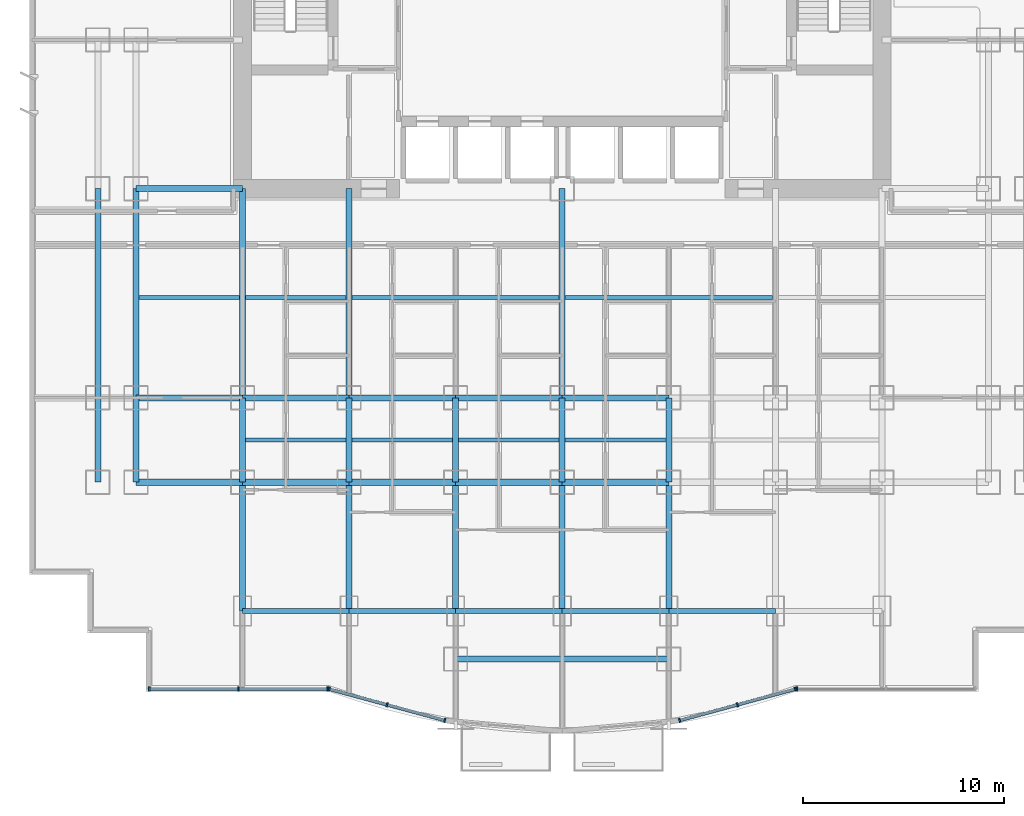
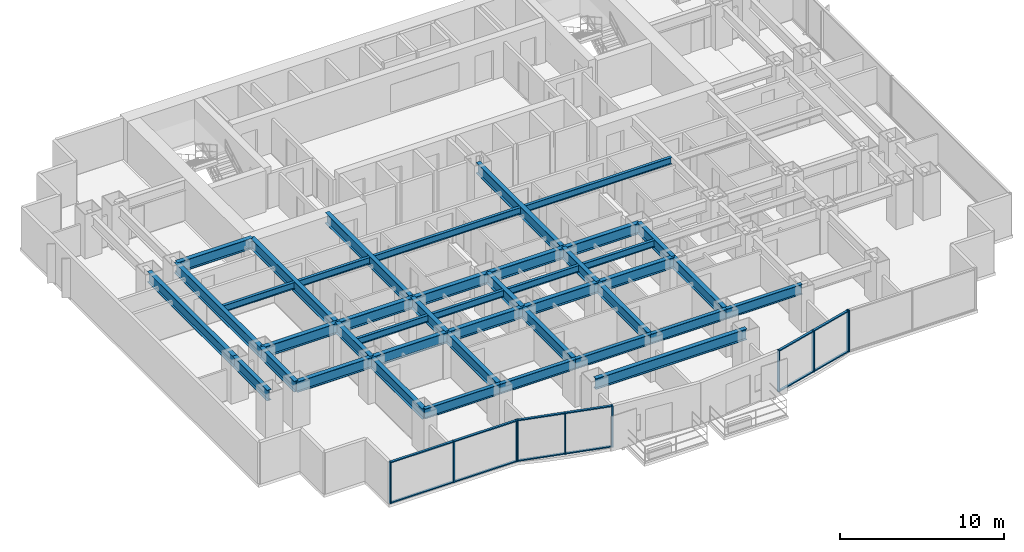
# One storey, part 2 of 12: 42 beams, 22 members, 4 elements without a shape of their own.
"""IFC4 building model written with IfcOpenShell, lengths in metres."""

from ifc_helpers import new_model, si_unit, direction, frame, origin, origin_2d, place, context, subcontext, project, spatial, rectangle, i_section, extrude, source, transform, mapped, material, layer, layer_set, material_profile, profile_set, type_object, element, aggregate, save


model = new_model("IFC4")

# Units and contexts
model_context = context("Model", 3, precision=1e-05, world=origin(), true_north=direction((0.0, 1.0)))
body_context = subcontext(model_context, "Body", "Model", "MODEL_VIEW")
ifc_project = project(units=[si_unit("LENGTHUNIT", "METRE"), si_unit("AREAUNIT", "SQUARE_METRE"), si_unit("VOLUMEUNIT", "CUBIC_METRE"), si_unit("PLANEANGLEUNIT", "RADIAN"), si_unit("MASSUNIT", "GRAM", prefix="KILO")], contexts=[model_context])

# Site, building, storey
site_placement = place(None, origin())
site = spatial("IfcSite", under=ifc_project, at=site_placement, CompositionType="ELEMENT")
building_placement = place(site_placement, origin())
building = spatial("IfcBuilding", under=site, at=building_placement, Name="Qianlan Lanfeng Residences", CompositionType="ELEMENT")
storey_placement = place(building_placement, frame((0.0, 0.0, 27.5)))
storey = spatial("IfcBuildingStorey", under=building, at=storey_placement, Name="L06", CompositionType="ELEMENT", Elevation=27.5)

# Beams
ifc_material_1 = material(Name="Steel SN490B", Category="steel")
ifc_material_profile_1 = material_profile(ifc_material_1, i_section(OverallWidth=0.300048828125, OverallDepth=0.800048828125, WebThickness=0.01611328125, FlangeThickness=0.028076171875, at=origin_2d()), Name="H 800x300x16x28")
ifc_profile_set_1 = profile_set([ifc_material_profile_1], Name="Steel SN490B")
beam_type_1 = type_object("IfcBeamType", Name="G-950", PredefinedType="BEAM", material=ifc_profile_set_1)
beam_1_placement = place(storey_placement, frame((21.199951171875, 1.800048828125, 2.679931640625), z_axis=(1.0, 0.0, 0.0), x_axis=(0.0, 1.0, 0.0)))
element("IfcBeam", 1, at=beam_1_placement, inside=storey, type_object=beam_type_1, Name="Structural beam G-950", PredefinedType="BEAM", context=body_context, shape_type="SweptSolid", body=[
    extrude(i_section(OverallWidth=0.300048828125, OverallDepth=0.800048828125, WebThickness=0.01611328125, FlangeThickness=0.028076171875, at=origin_2d()), origin(), (0.0, 0.0, 1.0), 10.60009765625),
])
beam_2_placement = place(storey_placement, frame((5.300048828125, 10.60009765625, 2.679931640625), z_axis=(1.0, 0.0, 0.0), x_axis=(0.0, 1.0, 0.0)))
element("IfcBeam", 2, at=beam_2_placement, inside=storey, type_object=beam_type_1, Name="Structural beam G-950", PredefinedType="BEAM", context=body_context, shape_type="SweptSolid", body=[
    extrude(i_section(OverallWidth=0.300048828125, OverallDepth=0.800048828125, WebThickness=0.01611328125, FlangeThickness=0.028076171875, at=origin_2d()), origin(), (0.0, 0.0, 1.0), 5.300048828125),
])
beam_3_placement = place(storey_placement, frame((10.60009765625, 10.60009765625, 2.679931640625), z_axis=(1.0, 0.0, 0.0), x_axis=(0.0, 1.0, 0.0)))
element("IfcBeam", 3, at=beam_3_placement, inside=storey, type_object=beam_type_1, Name="Structural beam G-950", PredefinedType="BEAM", context=body_context, shape_type="SweptSolid", body=[
    extrude(i_section(OverallWidth=0.300048828125, OverallDepth=0.800048828125, WebThickness=0.01611328125, FlangeThickness=0.028076171875, at=origin_2d()), origin(), (0.0, 0.0, 1.0), 5.2998046875),
])
for number, where, z_axis, x_axis, name in (
    (4, (15.89990234375, 10.60009765625, 2.679931640625), (1.0, 0.0, 0.0), (0.0, 1.0, 0.0), "Structural beam G-950"),
    (5, (21.199951171875, 10.60009765625, 2.679931640625), (1.0, 0.0, 0.0), (0.0, 1.0, 0.0), "Structural beam G-950"),
    (6, (26.5, 10.60009765625, 2.679931640625), (1.0, 0.0, 0.0), (0.0, 1.0, 0.0), "Structural beam G-950"),
    (7, (5.300048828125, 14.800048828125, 2.679931640625), (1.0, 0.0, 0.0), (0.0, 1.0, 0.0), "Structural beam G-950"),
):
    element("IfcBeam", number, at=place(storey_placement, frame(where, z_axis=z_axis, x_axis=x_axis)), inside=storey, type_object=beam_type_1, Name=name, PredefinedType="BEAM", context=body_context, shape_type="SweptSolid", body=[
        extrude(i_section(OverallWidth=0.300048828125, OverallDepth=0.800048828125, WebThickness=0.01611328125, FlangeThickness=0.028076171875, at=origin_2d()), origin(), (0.0, 0.0, 1.0), 5.300048828125),
    ])
beam_4_placement = place(storey_placement, frame((10.60009765625, 14.800048828125, 2.679931640625), z_axis=(1.0, 0.0, 0.0), x_axis=(0.0, 1.0, 0.0)))
element("IfcBeam", 8, at=beam_4_placement, inside=storey, type_object=beam_type_1, Name="Structural beam G-950", PredefinedType="BEAM", context=body_context, shape_type="SweptSolid", body=[
    extrude(i_section(OverallWidth=0.300048828125, OverallDepth=0.800048828125, WebThickness=0.01611328125, FlangeThickness=0.028076171875, at=origin_2d()), origin(), (0.0, 0.0, 1.0), 5.2998046875),
])
for number, where, z_axis, x_axis, name in (
    (9, (15.89990234375, 14.800048828125, 2.679931640625), (1.0, 0.0, 0.0), (0.0, 1.0, 0.0), "Structural beam G-950"),
    (10, (21.199951171875, 14.800048828125, 2.679931640625), (1.0, 0.0, 0.0), (0.0, 1.0, 0.0), "Structural beam G-950"),
    (11, (26.5, 14.800048828125, 2.679931640625), (1.0, 0.0, 0.0), (0.0, 1.0, 0.0), "Structural beam G-950"),
    (12, (5.300048828125, 25.199951171875, 2.679931640625), (1.0, 0.0, 0.0), (0.0, 1.0, 0.0), "Structural beam G-950"),
):
    element("IfcBeam", number, at=place(storey_placement, frame(where, z_axis=z_axis, x_axis=x_axis)), inside=storey, type_object=beam_type_1, Name=name, PredefinedType="BEAM", context=body_context, shape_type="SweptSolid", body=[
        extrude(i_section(OverallWidth=0.300048828125, OverallDepth=0.800048828125, WebThickness=0.01611328125, FlangeThickness=0.028076171875, at=origin_2d()), origin(), (0.0, 0.0, 1.0), 5.300048828125),
    ])
beam_5_placement = place(storey_placement, frame((3.39990234375, 10.60009765625, 2.679931640625), z_axis=(0.0, 1.0, 0.0), x_axis=(-1.0, 0.0, 0.0)))
element("IfcBeam", 13, at=beam_5_placement, inside=storey, type_object=beam_type_1, Name="Structural beam G-950", PredefinedType="BEAM", context=body_context, shape_type="SweptSolid", body=[
    extrude(i_section(OverallWidth=0.300048828125, OverallDepth=0.800048828125, WebThickness=0.01611328125, FlangeThickness=0.028076171875, at=origin_2d()), origin(), (0.0, 0.0, 1.0), 4.199951171875),
])
beam_6_placement = place(storey_placement, frame((3.39990234375, 14.800048828125, 2.679931640625), z_axis=(0.0, 1.0, 0.0), x_axis=(-1.0, 0.0, 0.0)))
element("IfcBeam", 14, at=beam_6_placement, inside=storey, type_object=beam_type_1, Name="Structural beam G-950", PredefinedType="BEAM", context=body_context, shape_type="SweptSolid", body=[
    extrude(i_section(OverallWidth=0.300048828125, OverallDepth=0.800048828125, WebThickness=0.01611328125, FlangeThickness=0.028076171875, at=origin_2d()), origin(), (0.0, 0.0, 1.0), 10.39990234375),
])
beam_7_placement = place(storey_placement, frame((5.300048828125, 10.60009765625, 2.679931640625), z_axis=(0.0, 1.0, 0.0), x_axis=(-1.0, 0.0, 0.0)))
element("IfcBeam", 15, at=beam_7_placement, inside=storey, type_object=beam_type_1, Name="Structural beam G-950", PredefinedType="BEAM", context=body_context, shape_type="SweptSolid", body=[
    extrude(i_section(OverallWidth=0.300048828125, OverallDepth=0.800048828125, WebThickness=0.01611328125, FlangeThickness=0.028076171875, at=origin_2d()), origin(), (0.0, 0.0, 1.0), 4.199951171875),
])
beam_8_placement = place(storey_placement, frame((5.300048828125, 14.800048828125, 2.679931640625), z_axis=(0.0, 1.0, 0.0), x_axis=(-1.0, 0.0, 0.0)))
element("IfcBeam", 16, at=beam_8_placement, inside=storey, type_object=beam_type_1, Name="Structural beam G-950", PredefinedType="BEAM", context=body_context, shape_type="SweptSolid", body=[
    extrude(i_section(OverallWidth=0.300048828125, OverallDepth=0.800048828125, WebThickness=0.01611328125, FlangeThickness=0.028076171875, at=origin_2d()), origin(), (0.0, 0.0, 1.0), 10.39990234375),
])
beam_9_placement = place(storey_placement, frame((10.60009765625, 4.199951171875, 2.679931640625), z_axis=(0.0, 1.0, 0.0), x_axis=(-1.0, 0.0, 0.0)))
element("IfcBeam", 17, at=beam_9_placement, inside=storey, type_object=beam_type_1, Name="Structural beam G-950", PredefinedType="BEAM", context=body_context, shape_type="SweptSolid", body=[
    extrude(i_section(OverallWidth=0.300048828125, OverallDepth=0.800048828125, WebThickness=0.01611328125, FlangeThickness=0.028076171875, at=origin_2d()), origin(), (0.0, 0.0, 1.0), 6.400146484375),
])
beam_10_placement = place(storey_placement, frame((10.60009765625, 10.60009765625, 2.679931640625), z_axis=(0.0, 1.0, 0.0), x_axis=(-1.0, 0.0, 0.0)))
element("IfcBeam", 18, at=beam_10_placement, inside=storey, type_object=beam_type_1, Name="Structural beam G-950", PredefinedType="BEAM", context=body_context, shape_type="SweptSolid", body=[
    extrude(i_section(OverallWidth=0.300048828125, OverallDepth=0.800048828125, WebThickness=0.01611328125, FlangeThickness=0.028076171875, at=origin_2d()), origin(), (0.0, 0.0, 1.0), 4.199951171875),
])
beam_11_placement = place(storey_placement, frame((10.60009765625, 14.800048828125, 2.679931640625), z_axis=(0.0, 1.0, 0.0), x_axis=(-1.0, 0.0, 0.0)))
element("IfcBeam", 19, at=beam_11_placement, inside=storey, type_object=beam_type_1, Name="Structural beam G-950", PredefinedType="BEAM", context=body_context, shape_type="SweptSolid", body=[
    extrude(i_section(OverallWidth=0.300048828125, OverallDepth=0.800048828125, WebThickness=0.01611328125, FlangeThickness=0.028076171875, at=origin_2d()), origin(), (0.0, 0.0, 1.0), 10.39990234375),
])
beam_12_placement = place(storey_placement, frame((15.89990234375, 4.199951171875, 2.679931640625), z_axis=(0.0, 1.0, 0.0), x_axis=(-1.0, 0.0, 0.0)))
element("IfcBeam", 20, at=beam_12_placement, inside=storey, type_object=beam_type_1, Name="Structural beam G-950", PredefinedType="BEAM", context=body_context, shape_type="SweptSolid", body=[
    extrude(i_section(OverallWidth=0.300048828125, OverallDepth=0.800048828125, WebThickness=0.01611328125, FlangeThickness=0.028076171875, at=origin_2d()), origin(), (0.0, 0.0, 1.0), 6.400146484375),
])
beam_13_placement = place(storey_placement, frame((15.89990234375, 10.60009765625, 2.679931640625), z_axis=(0.0, 1.0, 0.0), x_axis=(-1.0, 0.0, 0.0)))
element("IfcBeam", 21, at=beam_13_placement, inside=storey, type_object=beam_type_1, Name="Structural beam G-950", PredefinedType="BEAM", context=body_context, shape_type="SweptSolid", body=[
    extrude(i_section(OverallWidth=0.300048828125, OverallDepth=0.800048828125, WebThickness=0.01611328125, FlangeThickness=0.028076171875, at=origin_2d()), origin(), (0.0, 0.0, 1.0), 4.199951171875),
])
beam_14_placement = place(storey_placement, frame((15.89990234375, 14.800048828125, 2.679931640625), z_axis=(0.0, 1.0, 0.0), x_axis=(-1.0, 0.0, 0.0)))
element("IfcBeam", 22, at=beam_14_placement, inside=storey, type_object=beam_type_1, Name="Structural beam G-950", PredefinedType="BEAM", context=body_context, shape_type="SweptSolid", body=[
    extrude(i_section(OverallWidth=0.300048828125, OverallDepth=0.800048828125, WebThickness=0.01611328125, FlangeThickness=0.028076171875, at=origin_2d()), origin(), (0.0, 0.0, 1.0), 10.39990234375),
])
beam_15_placement = place(storey_placement, frame((21.199951171875, 4.199951171875, 2.679931640625), z_axis=(0.0, 1.0, 0.0), x_axis=(-1.0, 0.0, 0.0)))
element("IfcBeam", 23, at=beam_15_placement, inside=storey, type_object=beam_type_1, Name="Structural beam G-950", PredefinedType="BEAM", context=body_context, shape_type="SweptSolid", body=[
    extrude(i_section(OverallWidth=0.300048828125, OverallDepth=0.800048828125, WebThickness=0.01611328125, FlangeThickness=0.028076171875, at=origin_2d()), origin(), (0.0, 0.0, 1.0), 6.400146484375),
])
beam_16_placement = place(storey_placement, frame((21.199951171875, 10.60009765625, 2.679931640625), z_axis=(0.0, 1.0, 0.0), x_axis=(-1.0, 0.0, 0.0)))
element("IfcBeam", 24, at=beam_16_placement, inside=storey, type_object=beam_type_1, Name="Structural beam G-950", PredefinedType="BEAM", context=body_context, shape_type="SweptSolid", body=[
    extrude(i_section(OverallWidth=0.300048828125, OverallDepth=0.800048828125, WebThickness=0.01611328125, FlangeThickness=0.028076171875, at=origin_2d()), origin(), (0.0, 0.0, 1.0), 4.199951171875),
])
beam_17_placement = place(storey_placement, frame((26.5, 4.199951171875, 2.679931640625), z_axis=(0.0, 1.0, 0.0), x_axis=(-1.0, 0.0, 0.0)))
element("IfcBeam", 25, at=beam_17_placement, inside=storey, type_object=beam_type_1, Name="Structural beam G-950", PredefinedType="BEAM", context=body_context, shape_type="SweptSolid", body=[
    extrude(i_section(OverallWidth=0.300048828125, OverallDepth=0.800048828125, WebThickness=0.01611328125, FlangeThickness=0.028076171875, at=origin_2d()), origin(), (0.0, 0.0, 1.0), 6.400146484375),
])
beam_18_placement = place(storey_placement, frame((26.5, 10.60009765625, 2.679931640625), z_axis=(0.0, 1.0, 0.0), x_axis=(-1.0, 0.0, 0.0)))
element("IfcBeam", 26, at=beam_18_placement, inside=storey, type_object=beam_type_1, Name="Structural beam G-950", PredefinedType="BEAM", context=body_context, shape_type="SweptSolid", body=[
    extrude(i_section(OverallWidth=0.300048828125, OverallDepth=0.800048828125, WebThickness=0.01611328125, FlangeThickness=0.028076171875, at=origin_2d()), origin(), (0.0, 0.0, 1.0), 4.199951171875),
])
beam_19_placement = place(storey_placement, frame((26.5, 14.800048828125, 2.679931640625), z_axis=(0.0, 1.0, 0.0), x_axis=(-1.0, 0.0, 0.0)))
element("IfcBeam", 27, at=beam_19_placement, inside=storey, type_object=beam_type_1, Name="Structural beam G-950", PredefinedType="BEAM", context=body_context, shape_type="SweptSolid", body=[
    extrude(i_section(OverallWidth=0.300048828125, OverallDepth=0.800048828125, WebThickness=0.01611328125, FlangeThickness=0.028076171875, at=origin_2d()), origin(), (0.0, 0.0, 1.0), 10.39990234375),
])
beam_20_placement = place(storey_placement, frame((31.800048828125, 4.199951171875, 2.679931640625), z_axis=(0.0, 1.0, 0.0), x_axis=(-1.0, 0.0, 0.0)))
element("IfcBeam", 28, at=beam_20_placement, inside=storey, type_object=beam_type_1, Name="Structural beam G-950", PredefinedType="BEAM", context=body_context, shape_type="SweptSolid", body=[
    extrude(i_section(OverallWidth=0.300048828125, OverallDepth=0.800048828125, WebThickness=0.01611328125, FlangeThickness=0.028076171875, at=origin_2d()), origin(), (0.0, 0.0, 1.0), 6.400146484375),
])
beam_21_placement = place(storey_placement, frame((31.800048828125, 10.60009765625, 2.679931640625), z_axis=(0.0, 1.0, 0.0), x_axis=(-1.0, 0.0, 0.0)))
element("IfcBeam", 29, at=beam_21_placement, inside=storey, type_object=beam_type_1, Name="Structural beam G-950", PredefinedType="BEAM", context=body_context, shape_type="SweptSolid", body=[
    extrude(i_section(OverallWidth=0.300048828125, OverallDepth=0.800048828125, WebThickness=0.01611328125, FlangeThickness=0.028076171875, at=origin_2d()), origin(), (0.0, 0.0, 1.0), 4.199951171875),
])
ifc_material_profile_2 = material_profile(ifc_material_1, i_section(OverallWidth=0.199951171875, OverallDepth=0.5, WebThickness=0.010009765625, FlangeThickness=0.01611328125, at=origin_2d()), Name="H 500x200x10x16")
ifc_profile_set_2 = profile_set([ifc_material_profile_2], Name="Steel SN490B")
beam_type_2 = type_object("IfcBeamType", Name="J-500", PredefinedType="JOIST", material=ifc_profile_set_2)
for number, where, z_axis, x_axis, name in (
    (30, (10.75, 12.699951171875, 2.830078125), (1.0, 0.0, 0.0), (0.0, 1.0, 0.0), "Structural beam J-500"),
    (31, (16.050048828125, 12.699951171875, 2.830078125), (1.0, 0.0, 0.0), (0.0, 1.0, 0.0), "Structural beam J-500"),
    (32, (21.35009765625, 12.699951171875, 2.830078125), (1.0, 0.0, 0.0), (0.0, 1.0, 0.0), "Structural beam J-500"),
    (33, (26.64990234375, 12.699951171875, 2.830078125), (1.0, 0.0, 0.0), (0.0, 1.0, 0.0), "Structural beam J-500"),
    (34, (5.449951171875, 19.800048828125, 2.830078125), (1.0, 0.0, 0.0), (0.0, 1.0, 0.0), "Structural beam J-500"),
    (35, (10.75, 19.800048828125, 2.830078125), (1.0, 0.0, 0.0), (0.0, 1.0, 0.0), "Structural beam J-500"),
):
    element("IfcBeam", number, at=place(storey_placement, frame(where, z_axis=z_axis, x_axis=x_axis)), inside=storey, type_object=beam_type_2, Name=name, PredefinedType="JOIST", context=body_context, shape_type="SweptSolid", body=[
        extrude(i_section(OverallWidth=0.199951171875, OverallDepth=0.5, WebThickness=0.010009765625, FlangeThickness=0.01611328125, at=origin_2d()), origin(), (0.0, 0.0, 1.0), 5.0),
    ])
for number, where, z_axis, x_axis, name in (
    (36, (16.050048828125, 19.800048828125, 2.830078125), (1.0, 0.0, 0.0), (0.0, 1.0, 0.0), "Structural beam J-500"),
    (37, (26.64990234375, 19.800048828125, 2.830078125), (1.0, 0.0, 0.0), (0.0, 1.0, 0.0), "Structural beam J-500"),
):
    element("IfcBeam", number, at=place(storey_placement, frame(where, z_axis=z_axis, x_axis=x_axis)), inside=storey, type_object=beam_type_2, Name=name, PredefinedType="JOIST", context=body_context, shape_type="SweptSolid", body=[
        extrude(i_section(OverallWidth=0.199951171875, OverallDepth=0.5, WebThickness=0.010009765625, FlangeThickness=0.01611328125, at=origin_2d()), origin(), (0.0, 0.0, 1.0), 10.300048828125),
    ])
ifc_material_profile_3 = material_profile(ifc_material_1, i_section(OverallWidth=0.25, OverallDepth=0.75, WebThickness=0.013916015625, FlangeThickness=0.02490234375, at=origin_2d()), Name="H 750x250x14x25")
ifc_profile_set_3 = profile_set([ifc_material_profile_3], Name="Steel SN490B")
beam_type_3 = type_object("IfcBeamType", Name="SG-850", PredefinedType="SPANDREL", material=ifc_profile_set_3)
beam_22_placement = place(storey_placement, frame((10.60009765625, 4.199951171875, 2.705078125), z_axis=(1.0, 0.0, 0.0), x_axis=(0.0, 1.0, 0.0)))
element("IfcBeam", 38, at=beam_22_placement, inside=storey, type_object=beam_type_3, Name="Structural beam SG-850", PredefinedType="SPANDREL", context=body_context, shape_type="SweptSolid", body=[
    extrude(i_section(OverallWidth=0.25, OverallDepth=0.75, WebThickness=0.013916015625, FlangeThickness=0.02490234375, at=origin_2d()), origin(), (0.0, 0.0, 1.0), 5.2998046875),
])
for number, where, z_axis, x_axis, name in (
    (39, (15.89990234375, 4.199951171875, 2.705078125), (1.0, 0.0, 0.0), (0.0, 1.0, 0.0), "Structural beam SG-850"),
    (40, (21.199951171875, 4.199951171875, 2.705078125), (1.0, 0.0, 0.0), (0.0, 1.0, 0.0), "Structural beam SG-850"),
    (41, (26.5, 4.199951171875, 2.705078125), (1.0, 0.0, 0.0), (0.0, 1.0, 0.0), "Structural beam SG-850"),
    (42, (31.800048828125, 4.199951171875, 2.705078125), (1.0, 0.0, 0.0), (0.0, 1.0, 0.0), "Structural beam SG-850"),
):
    element("IfcBeam", number, at=place(storey_placement, frame(where, z_axis=z_axis, x_axis=x_axis)), inside=storey, type_object=beam_type_3, Name=name, PredefinedType="SPANDREL", context=body_context, shape_type="SweptSolid", body=[
        extrude(i_section(OverallWidth=0.25, OverallDepth=0.75, WebThickness=0.013916015625, FlangeThickness=0.02490234375, at=origin_2d()), origin(), (0.0, 0.0, 1.0), 5.300048828125),
    ])

# Curtain wall, members
ifc_material_2 = material(Name="Anodised Bronze Aluminium 6063-T6", Category="aluminium")
ifc_layer = layer(ifc_material_2, 0.219970703125)
ifc_layer_set = layer_set([ifc_layer], Name="Anodised Bronze Aluminium 6063-T6")
curtain_wall_type = type_object("IfcCurtainWallType", Name="CW-02", PredefinedType="NOTDEFINED", material=ifc_layer_set)
curtain_wall_1_placement = place(storey_placement, origin())
curtain_wall_1 = element("IfcCurtainWall", 43, at=curtain_wall_1_placement, inside=storey, type_object=curtain_wall_type, Name="L06 Unitised Curtain Wall CWR-L06-01 (CW-02)", PredefinedType="NOTDEFINED")
ifc_material_profile_4 = material_profile(ifc_material_2, rectangle(XDim=0.080078125, YDim=0.2099609375, at=origin_2d()), Name="ALU MULLION 80x210")
ifc_profile_set_4 = profile_set([ifc_material_profile_4], Name="Anodised Bronze Aluminium 6063-T6")
member_type_1 = type_object("IfcMemberType", Name="CWM-220", PredefinedType="MULLION", material=ifc_profile_set_4)
shared_shape_1 = source(origin(), body_context, "Body", "SweptSolid", [
    extrude(rectangle(XDim=0.080078125, YDim=0.2099609375, at=origin_2d()), origin(), (0.0, 0.0, 1.0), 3.080078125),
])
member_1_placement = place(storey_placement, frame((5.9599609375, 0.320068359375, 0.0), z_axis=(0.0, 0.0, 1.0), x_axis=(1.0, 0.0, 0.0)))
member_1 = element("IfcMember", 44, at=member_1_placement, type_object=member_type_1, Name="CWR-L06-01 Mullion 1", PredefinedType="MULLION", context=body_context, shape_type="MappedRepresentation", body=[
    mapped(shared_shape_1, transform((0.0, 0.0, 0.0), scale=1.0)),
])
member_2_placement = place(storey_placement, frame((10.39501953125, 0.320068359375, 0.0), z_axis=(0.0, 0.0, 1.0), x_axis=(1.0, 0.0, 0.0)))
member_2 = element("IfcMember", 45, at=member_2_placement, type_object=member_type_1, Name="CWR-L06-01 Mullion 2", PredefinedType="MULLION", context=body_context, shape_type="MappedRepresentation", body=[
    mapped(shared_shape_1, transform((0.0, 0.0, 0.0), scale=1.0)),
])
member_3_placement = place(storey_placement, frame((14.830078125, 0.320068359375, 0.0), z_axis=(0.0, 0.0, 1.0), x_axis=(1.0, 0.0, 0.0)))
member_3 = element("IfcMember", 46, at=member_3_placement, type_object=member_type_1, Name="CWR-L06-01 Mullion 3", PredefinedType="MULLION", context=body_context, shape_type="MappedRepresentation", body=[
    mapped(shared_shape_1, transform((0.0, 0.0, 0.0), scale=1.0)),
])

curtain_wall_2_placement = place(storey_placement, origin())
curtain_wall_2 = element("IfcCurtainWall", 47, at=curtain_wall_2_placement, inside=storey, type_object=curtain_wall_type, Name="L06 Unitised Curtain Wall CWR-L06-02 (CW-02)", PredefinedType="NOTDEFINED")
member_4_placement = place(storey_placement, frame((14.90869140625, 0.3095703125, 0.0), z_axis=(0.0, 0.0, 1.0), x_axis=(0.9652627173, -0.261281240412, 0.0)))
member_4 = element("IfcMember", 48, at=member_4_placement, type_object=member_type_1, Name="CWR-L06-02 Mullion 1", PredefinedType="MULLION", context=body_context, shape_type="MappedRepresentation", body=[
    mapped(shared_shape_1, transform((0.0, 0.0, 0.0), scale=1.0)),
])
member_5_placement = place(storey_placement, frame((17.782958984375, -0.468505859375, 0.0), z_axis=(0.0, 0.0, 1.0), x_axis=(0.9652627173, -0.261281240412, 0.0)))
member_5 = element("IfcMember", 49, at=member_5_placement, type_object=member_type_1, Name="CWR-L06-02 Mullion 2", PredefinedType="MULLION", context=body_context, shape_type="MappedRepresentation", body=[
    mapped(shared_shape_1, transform((0.0, 0.0, 0.0), scale=1.0)),
])
member_6_placement = place(storey_placement, frame((20.657470703125, -1.24658203125, 0.0), z_axis=(0.0, 0.0, 1.0), x_axis=(0.9652627173, -0.261281240412, 0.0)))
member_6 = element("IfcMember", 50, at=member_6_placement, type_object=member_type_1, Name="CWR-L06-02 Mullion 3", PredefinedType="MULLION", context=body_context, shape_type="MappedRepresentation", body=[
    mapped(shared_shape_1, transform((0.0, 0.0, 0.0), scale=1.0)),
])

curtain_wall_3_placement = place(storey_placement, origin())
curtain_wall_3 = element("IfcCurtainWall", 51, at=curtain_wall_3_placement, inside=storey, type_object=curtain_wall_type, Name="L06 Unitised Curtain Wall CWR-L06-03 (CW-02)", PredefinedType="NOTDEFINED")
member_7_placement = place(storey_placement, frame((32.342529296875, -1.24658203125, 0.0), z_axis=(0.0, 0.0, 1.0), x_axis=(0.9652627173, 0.261281240412, 0.0)))
member_7 = element("IfcMember", 52, at=member_7_placement, type_object=member_type_1, Name="CWR-L06-03 Mullion 1", PredefinedType="MULLION", context=body_context, shape_type="MappedRepresentation", body=[
    mapped(shared_shape_1, transform((0.0, 0.0, 0.0), scale=1.0)),
])
member_8_placement = place(storey_placement, frame((35.217041015625, -0.468505859375, 0.0), z_axis=(0.0, 0.0, 1.0), x_axis=(0.9652627173, 0.261281240412, 0.0)))
member_8 = element("IfcMember", 53, at=member_8_placement, type_object=member_type_1, Name="CWR-L06-03 Mullion 2", PredefinedType="MULLION", context=body_context, shape_type="MappedRepresentation", body=[
    mapped(shared_shape_1, transform((0.0, 0.0, 0.0), scale=1.0)),
])
member_9_placement = place(storey_placement, frame((38.09130859375, 0.3095703125, 0.0), z_axis=(0.0, 0.0, 1.0), x_axis=(0.9652627173, 0.261281240412, 0.0)))
member_9 = element("IfcMember", 54, at=member_9_placement, type_object=member_type_1, Name="CWR-L06-03 Mullion 3", PredefinedType="MULLION", context=body_context, shape_type="MappedRepresentation", body=[
    mapped(shared_shape_1, transform((0.0, 0.0, 0.0), scale=1.0)),
])

# Curtain wall, member
curtain_wall_4_placement = place(storey_placement, origin())
curtain_wall_4 = element("IfcCurtainWall", 55, at=curtain_wall_4_placement, inside=storey, type_object=curtain_wall_type, Name="L06 Unitised Curtain Wall CWR-L06-04 (CW-02)", PredefinedType="NOTDEFINED")
member_10_placement = place(storey_placement, frame((38.169921875, 0.320068359375, 0.0), z_axis=(0.0, 0.0, 1.0), x_axis=(1.0, 0.0, 0.0)))
member_10 = element("IfcMember", 56, at=member_10_placement, type_object=member_type_1, Name="CWR-L06-04 Mullion 1", PredefinedType="MULLION", context=body_context, shape_type="MappedRepresentation", body=[
    mapped(shared_shape_1, transform((0.0, 0.0, 0.0), scale=1.0)),
])
aggregate(curtain_wall_4, [member_10])

# Member
ifc_material_profile_5 = material_profile(ifc_material_2, rectangle(XDim=0.080078125, YDim=0.159912109375, at=origin_2d()), Name="ALU TRANSOM 80x160")
ifc_profile_set_5 = profile_set([ifc_material_profile_5], Name="Anodised Bronze Aluminium 6063-T6")
member_type_2 = type_object("IfcMemberType", Name="CWT-180", PredefinedType="USERDEFINED", material=ifc_profile_set_5)
shared_shape_2 = source(origin(), body_context, "Body", "SweptSolid", [
    extrude(rectangle(XDim=0.080078125, YDim=0.159912109375, at=origin_2d()), origin(), (0.0, 0.0, 1.0), 2.897705078125),
])
member_11_placement = place(storey_placement, frame((14.947265625, 0.299072265625, 0.0400390625), z_axis=(0.965267548724, -0.261263390817, 0.0), x_axis=(0.0, 0.0, 1.0)))
member_11 = element("IfcMember", 57, at=member_11_placement, type_object=member_type_2, Name="CWR-L06-02 Transom 1-BOT", ObjectType="TRANSOM", PredefinedType="USERDEFINED", context=body_context, shape_type="MappedRepresentation", body=[
    mapped(shared_shape_2, transform((0.0, 0.0, 0.0), scale=1.0)),
])

member_12_placement = place(storey_placement, frame((14.947265625, 0.299072265625, 3.0400390625), z_axis=(0.965267548724, -0.261263390817, 0.0), x_axis=(0.0, 0.0, 1.0)))
member_12 = element("IfcMember", 58, at=member_12_placement, type_object=member_type_2, Name="CWR-L06-02 Transom 1-TOP", ObjectType="TRANSOM", PredefinedType="USERDEFINED", context=body_context, shape_type="MappedRepresentation", body=[
    mapped(shared_shape_2, transform((0.0, 0.0, 0.0), scale=1.0)),
])

member_13_placement = place(storey_placement, frame((35.255615234375, -0.4580078125, 0.0400390625), z_axis=(0.965267548724, 0.261263390817, 0.0), x_axis=(0.0, 0.0, 1.0)))
member_13 = element("IfcMember", 59, at=member_13_placement, type_object=member_type_2, Name="CWR-L06-03 Transom 2-BOT", ObjectType="TRANSOM", PredefinedType="USERDEFINED", context=body_context, shape_type="MappedRepresentation", body=[
    mapped(shared_shape_2, transform((0.0, 0.0, 0.0), scale=1.0)),
])

member_14_placement = place(storey_placement, frame((35.255615234375, -0.4580078125, 3.0400390625), z_axis=(0.965267548724, 0.261263390817, 0.0), x_axis=(0.0, 0.0, 1.0)))
member_14 = element("IfcMember", 60, at=member_14_placement, type_object=member_type_2, Name="CWR-L06-03 Transom 2-TOP", ObjectType="TRANSOM", PredefinedType="USERDEFINED", context=body_context, shape_type="MappedRepresentation", body=[
    mapped(shared_shape_2, transform((0.0, 0.0, 0.0), scale=1.0)),
])

shared_shape_3 = source(origin(), body_context, "Body", "SweptSolid", [
    extrude(rectangle(XDim=0.080078125, YDim=0.159912109375, at=origin_2d()), origin(), (0.0, 0.0, 1.0), 2.89794921875),
])
member_15_placement = place(storey_placement, frame((17.821533203125, -0.47900390625, 0.0400390625), z_axis=(0.965273298897, -0.261242145215, 0.0), x_axis=(0.0, 0.0, 1.0)))
member_15 = element("IfcMember", 61, at=member_15_placement, type_object=member_type_2, Name="CWR-L06-02 Transom 2-BOT", ObjectType="TRANSOM", PredefinedType="USERDEFINED", context=body_context, shape_type="MappedRepresentation", body=[
    mapped(shared_shape_3, transform((0.0, 0.0, 0.0), scale=1.0)),
])

member_16_placement = place(storey_placement, frame((17.821533203125, -0.47900390625, 3.0400390625), z_axis=(0.965273298897, -0.261242145215, 0.0), x_axis=(0.0, 0.0, 1.0)))
member_16 = element("IfcMember", 62, at=member_16_placement, type_object=member_type_2, Name="CWR-L06-02 Transom 2-TOP", ObjectType="TRANSOM", PredefinedType="USERDEFINED", context=body_context, shape_type="MappedRepresentation", body=[
    mapped(shared_shape_3, transform((0.0, 0.0, 0.0), scale=1.0)),
])

aggregate(curtain_wall_2, [member_4, member_5, member_6, member_11, member_12, member_15, member_16])

member_17_placement = place(storey_placement, frame((32.381103515625, -1.236083984375, 0.0400390625), z_axis=(0.965273298897, 0.261242145215, 0.0), x_axis=(0.0, 0.0, 1.0)))
member_17 = element("IfcMember", 63, at=member_17_placement, type_object=member_type_2, Name="CWR-L06-03 Transom 1-BOT", ObjectType="TRANSOM", PredefinedType="USERDEFINED", context=body_context, shape_type="MappedRepresentation", body=[
    mapped(shared_shape_3, transform((0.0, 0.0, 0.0), scale=1.0)),
])

member_18_placement = place(storey_placement, frame((32.381103515625, -1.236083984375, 3.0400390625), z_axis=(0.965273298897, 0.261242145215, 0.0), x_axis=(0.0, 0.0, 1.0)))
member_18 = element("IfcMember", 64, at=member_18_placement, type_object=member_type_2, Name="CWR-L06-03 Transom 1-TOP", ObjectType="TRANSOM", PredefinedType="USERDEFINED", context=body_context, shape_type="MappedRepresentation", body=[
    mapped(shared_shape_3, transform((0.0, 0.0, 0.0), scale=1.0)),
])

aggregate(curtain_wall_3, [member_7, member_8, member_9, member_17, member_18, member_13, member_14])

shared_shape_4 = source(origin(), body_context, "Body", "SweptSolid", [
    extrude(rectangle(XDim=0.080078125, YDim=0.159912109375, at=origin_2d()), origin(), (0.0, 0.0, 1.0), 4.35498046875),
])
member_19_placement = place(storey_placement, frame((6.0, 0.320068359375, 0.0400390625), z_axis=(1.0, 0.0, 0.0), x_axis=(0.0, 0.0, 1.0)))
member_19 = element("IfcMember", 65, at=member_19_placement, type_object=member_type_2, Name="CWR-L06-01 Transom 1-BOT", ObjectType="TRANSOM", PredefinedType="USERDEFINED", context=body_context, shape_type="MappedRepresentation", body=[
    mapped(shared_shape_4, transform((0.0, 0.0, 0.0), scale=1.0)),
])

member_20_placement = place(storey_placement, frame((6.0, 0.320068359375, 3.0400390625), z_axis=(1.0, 0.0, 0.0), x_axis=(0.0, 0.0, 1.0)))
member_20 = element("IfcMember", 66, at=member_20_placement, type_object=member_type_2, Name="CWR-L06-01 Transom 1-TOP", ObjectType="TRANSOM", PredefinedType="USERDEFINED", context=body_context, shape_type="MappedRepresentation", body=[
    mapped(shared_shape_4, transform((0.0, 0.0, 0.0), scale=1.0)),
])

member_21_placement = place(storey_placement, frame((10.43505859375, 0.320068359375, 0.0400390625), z_axis=(1.0, 0.0, 0.0), x_axis=(0.0, 0.0, 1.0)))
member_21 = element("IfcMember", 67, at=member_21_placement, type_object=member_type_2, Name="CWR-L06-01 Transom 2-BOT", ObjectType="TRANSOM", PredefinedType="USERDEFINED", context=body_context, shape_type="MappedRepresentation", body=[
    mapped(shared_shape_4, transform((0.0, 0.0, 0.0), scale=1.0)),
])

member_22_placement = place(storey_placement, frame((10.43505859375, 0.320068359375, 3.0400390625), z_axis=(1.0, 0.0, 0.0), x_axis=(0.0, 0.0, 1.0)))
member_22 = element("IfcMember", 68, at=member_22_placement, type_object=member_type_2, Name="CWR-L06-01 Transom 2-TOP", ObjectType="TRANSOM", PredefinedType="USERDEFINED", context=body_context, shape_type="MappedRepresentation", body=[
    mapped(shared_shape_4, transform((0.0, 0.0, 0.0), scale=1.0)),
])

aggregate(curtain_wall_1, [member_1, member_2, member_3, member_19, member_20, member_21, member_22])

save(model, "model.ifc")
